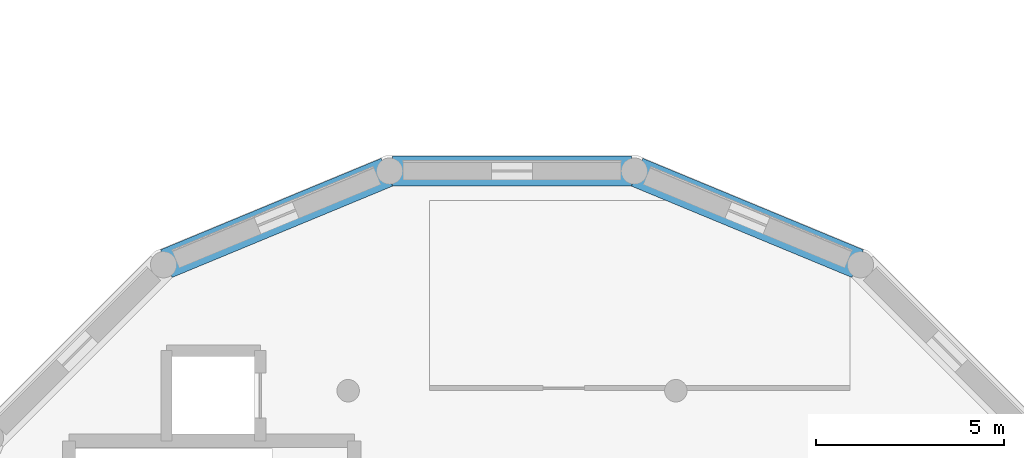
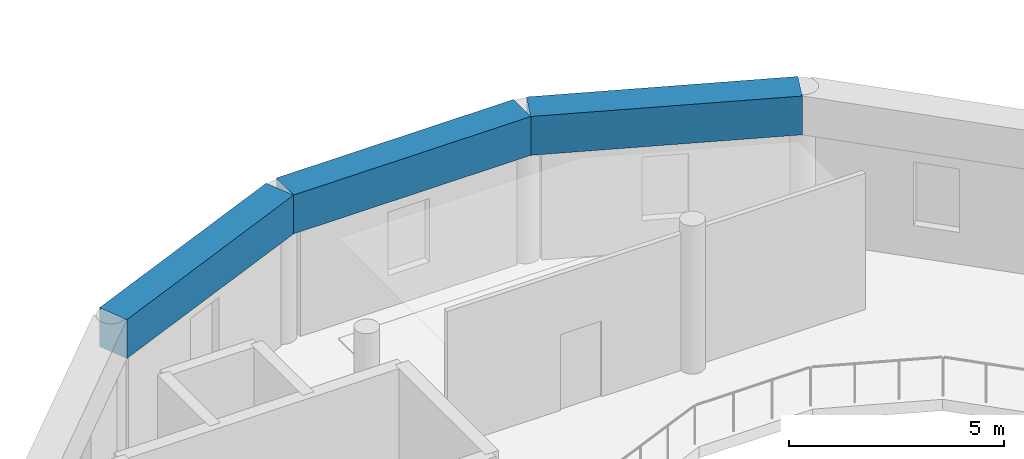
# One storey, part 36 of 114: 3 beams.
"""IFC4 building model written with IfcOpenShell, lengths in metres."""

from ifc_helpers import new_model, si_unit, direction, frame, origin, origin_2d, place, context, subcontext, project, spatial, rectangle, extrude, material, material_profile, profile_set, type_object, element, save


model = new_model("IFC4")

# Units and contexts
model_context = context("Model", 3, precision=1e-05, world=origin(), true_north=direction((0.0, 1.0)))
body_context = subcontext(model_context, "Body", "Model", "MODEL_VIEW")
ifc_project = project(units=[si_unit("LENGTHUNIT", "METRE"), si_unit("AREAUNIT", "SQUARE_METRE"), si_unit("VOLUMEUNIT", "CUBIC_METRE"), si_unit("PLANEANGLEUNIT", "RADIAN"), si_unit("MASSUNIT", "GRAM", prefix="KILO"), si_unit("THERMODYNAMICTEMPERATUREUNIT", "KELVIN"), si_unit("POWERUNIT", "WATT")], contexts=[model_context])

# Site, building, storey
site_placement = place(None, origin())
site = spatial("IfcSite", under=ifc_project, at=site_placement, CompositionType="ELEMENT")
building_placement = place(site_placement, origin())
building = spatial("IfcBuilding", under=site, at=building_placement, Name="Darbajah Civic Hall", CompositionType="ELEMENT")
storey_placement = place(building_placement, frame((0.0, 0.0, 13.800048828125)))
storey = spatial("IfcBuildingStorey", under=building, at=storey_placement, Name="L03", CompositionType="ELEMENT", Elevation=13.800048828125)

# Beams
ifc_material = material(Name="Concrete C50/60", Category="concrete")
ifc_material_profile = material_profile(ifc_material, rectangle(XDim=0.800048828125, YDim=1.10009765625, at=origin_2d()), Name="RC RING 800x1100")
ifc_profile_set = profile_set([ifc_material_profile], Name="Concrete C50/60")
beam_type = type_object("IfcBeamType", Name="RC RING 800x1100", PredefinedType="BEAM", material=ifc_profile_set)
for number, where, z_axis, x_axis, name in (
    (1, (26.004638671875, 95.516845703125, 3.64990234375), (-0.923872648016, 0.382700052583, 0.0), (-0.382700052583, -0.923872648016, 0.0), "Dome Base Ring Beam segment 3"),
    (2, (19.978271484375, 97.97998046875, 3.64990234375), (-1.0, 0.0, 0.0), (0.0, -1.0, 0.0), "Dome Base Ring Beam segment 4"),
    (3, (13.468017578125, 97.949462890625, 3.64990234375), (-0.923872648016, -0.382700052583, 0.0), (0.382700052583, -0.923872648016, 0.0), "Dome Base Ring Beam segment 5"),
):
    element("IfcBeam", number, at=place(storey_placement, frame(where, z_axis=z_axis, x_axis=x_axis)), inside=storey, type_object=beam_type, Name=name, PredefinedType="BEAM", context=body_context, shape_type="SweptSolid", body=[
        extrude(rectangle(XDim=0.800048828125, YDim=1.10009765625, at=origin_2d()), origin(), (0.0, 0.0, 1.0), 6.3564453125),
    ])

save(model, "model.ifc")
